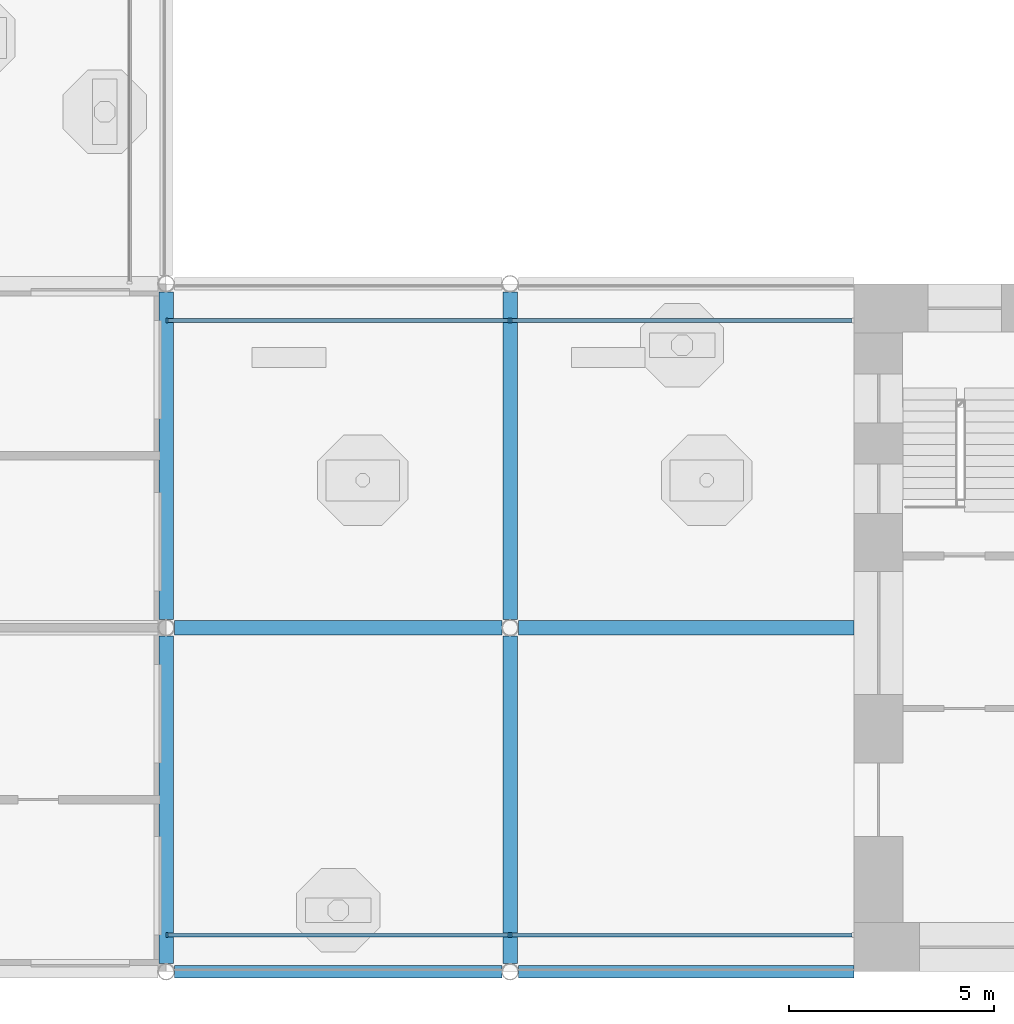
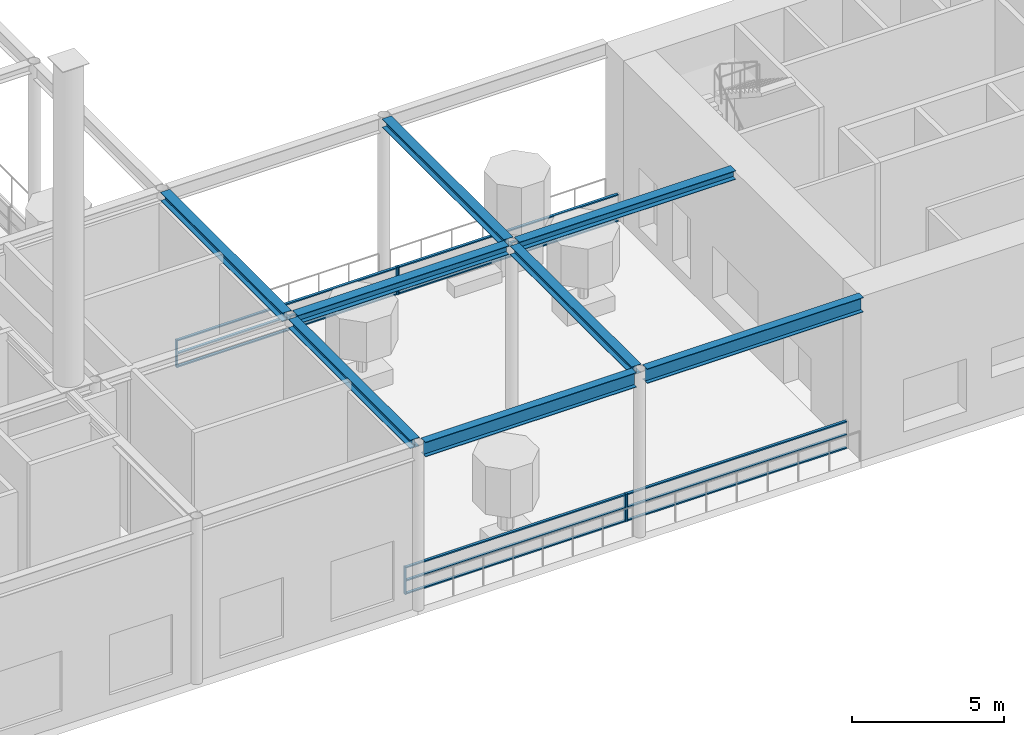
# One storey, part 2 of 15: 18 members, 8 beams, 4 elements without a shape of their own.
"""IFC4 building model written with IfcOpenShell, lengths in metres."""

from ifc_helpers import new_model, si_unit, direction, frame, origin, origin_2d, place, context, subcontext, project, spatial, rectangle, i_section, extrude, material, material_profile, profile_set, type_object, element, aggregate, save


model = new_model("IFC4")

# Units and contexts
model_context = context("Model", 3, precision=1e-05, world=origin(), true_north=direction((0.0, 1.0)))
body_context = subcontext(model_context, "Body", "Model", "MODEL_VIEW")
ifc_project = project(units=[si_unit("LENGTHUNIT", "METRE"), si_unit("AREAUNIT", "SQUARE_METRE"), si_unit("VOLUMEUNIT", "CUBIC_METRE"), si_unit("PLANEANGLEUNIT", "RADIAN"), si_unit("MASSUNIT", "GRAM", prefix="KILO")], contexts=[model_context])

# Site, building, storey
site_placement = place(None, origin())
site = spatial("IfcSite", under=ifc_project, at=site_placement, CompositionType="ELEMENT")
building_placement = place(site_placement, origin())
building = spatial("IfcBuilding", under=site, at=building_placement, Name="Vermilion Gate Residences", CompositionType="ELEMENT")
storey_placement = place(building_placement, frame((0.0, 0.0, 277.199951171875)))
storey = spatial("IfcBuildingStorey", under=building, at=storey_placement, Name="L73", CompositionType="ELEMENT", Elevation=277.199951171875)

# Curtain wall, members
ifc_material_1 = material(Name="Aluminium and glass", Category="aluminium")
curtain_wall_type = type_object("IfcCurtainWallType", Name="CROWN LOOKOUT GLASS CURTAIN WALL", PredefinedType="NOTDEFINED", material=ifc_material_1)
curtain_wall_1_placement = place(storey_placement, origin())
curtain_wall_1 = element("IfcCurtainWall", 1, at=curtain_wall_1_placement, inside=storey, type_object=curtain_wall_type, Name="Crown Lookout Glass 0", PredefinedType="NOTDEFINED")
ifc_material_2 = material(Name="Aluminium", Category="aluminium")
ifc_material_profile_1 = material_profile(ifc_material_2, rectangle(XDim=0.1201171875, YDim=0.050048828125, at=origin_2d()), Name="MULLION 50 X 120")
ifc_profile_set_1 = profile_set([ifc_material_profile_1], Name="Aluminium")
member_type_1 = type_object("IfcMemberType", Name="CROWN LOOKOUT GLASS MULLION 50 X 120", PredefinedType="MULLION", material=ifc_profile_set_1)
member_1_placement = place(storey_placement, frame((25.22509765625, 9.300048828125, 0.0), z_axis=(0.0, 0.0, 1.0), x_axis=(0.0, 1.0, 0.0)))
member_1 = element("IfcMember", 2, at=member_1_placement, type_object=member_type_1, Name="ECW4 mullion 1", PredefinedType="MULLION", context=body_context, shape_type="SweptSolid", body=[
    extrude(rectangle(XDim=0.1201171875, YDim=0.050048828125, at=origin_2d()), origin(), (0.0, 0.0, 1.0), 1.10009765625),
])
member_2_placement = place(storey_placement, frame((33.574951171875, 9.300048828125, 0.0), z_axis=(0.0, 0.0, 1.0), x_axis=(0.0, 1.0, 0.0)))
member_2 = element("IfcMember", 3, at=member_2_placement, type_object=member_type_1, Name="ECW4 mullion 2", PredefinedType="MULLION", context=body_context, shape_type="SweptSolid", body=[
    extrude(rectangle(XDim=0.1201171875, YDim=0.050048828125, at=origin_2d()), origin(), (0.0, 0.0, 1.0), 1.10009765625),
])

# Curtain wall, member
curtain_wall_2_placement = place(storey_placement, origin())
curtain_wall_2 = element("IfcCurtainWall", 4, at=curtain_wall_2_placement, inside=storey, type_object=curtain_wall_type, Name="Crown Lookout Glass 1", PredefinedType="NOTDEFINED")
member_3_placement = place(storey_placement, frame((33.625, 9.300048828125, 0.0), z_axis=(0.0, 0.0, 1.0), x_axis=(0.0, 1.0, 0.0)))
member_3 = element("IfcMember", 5, at=member_3_placement, type_object=member_type_1, Name="ECW4 mullion 1", PredefinedType="MULLION", context=body_context, shape_type="SweptSolid", body=[
    extrude(rectangle(XDim=0.1201171875, YDim=0.050048828125, at=origin_2d()), origin(), (0.0, 0.0, 1.0), 1.10009765625),
])

curtain_wall_3_placement = place(storey_placement, origin())
curtain_wall_3 = element("IfcCurtainWall", 6, at=curtain_wall_3_placement, inside=storey, type_object=curtain_wall_type, Name="Crown Lookout Glass 2", PredefinedType="NOTDEFINED")
member_4_placement = place(storey_placement, frame((33.625, 24.300048828125, 0.0), z_axis=(0.0, 0.0, 1.0), x_axis=(0.0, -1.0, 0.0)))
member_4 = element("IfcMember", 7, at=member_4_placement, type_object=member_type_1, Name="ECW4 mullion 2", PredefinedType="MULLION", context=body_context, shape_type="SweptSolid", body=[
    extrude(rectangle(XDim=0.1201171875, YDim=0.050048828125, at=origin_2d()), origin(), (0.0, 0.0, 1.0), 1.10009765625),
])

# Curtain wall, members
curtain_wall_4_placement = place(storey_placement, origin())
curtain_wall_4 = element("IfcCurtainWall", 8, at=curtain_wall_4_placement, inside=storey, type_object=curtain_wall_type, Name="Crown Lookout Glass 3", PredefinedType="NOTDEFINED")
member_5_placement = place(storey_placement, frame((33.574951171875, 24.300048828125, 0.0), z_axis=(0.0, 0.0, 1.0), x_axis=(0.0, -1.0, 0.0)))
member_5 = element("IfcMember", 9, at=member_5_placement, type_object=member_type_1, Name="ECW4 mullion 1", PredefinedType="MULLION", context=body_context, shape_type="SweptSolid", body=[
    extrude(rectangle(XDim=0.1201171875, YDim=0.050048828125, at=origin_2d()), origin(), (0.0, 0.0, 1.0), 1.10009765625),
])
member_6_placement = place(storey_placement, frame((25.22509765625, 24.300048828125, 0.0), z_axis=(0.0, 0.0, 1.0), x_axis=(0.0, -1.0, 0.0)))
member_6 = element("IfcMember", 10, at=member_6_placement, type_object=member_type_1, Name="ECW4 mullion 2", PredefinedType="MULLION", context=body_context, shape_type="SweptSolid", body=[
    extrude(rectangle(XDim=0.1201171875, YDim=0.050048828125, at=origin_2d()), origin(), (0.0, 0.0, 1.0), 1.10009765625),
])

# Member
ifc_material_3 = material(Name="Aluminium", Category="aluminium")
ifc_material_profile_2 = material_profile(ifc_material_3, rectangle(XDim=0.10009765625, YDim=0.050048828125, at=origin_2d()), Name="TRANSOM 50 X 100")
ifc_profile_set_2 = profile_set([ifc_material_profile_2], Name="Aluminium")
member_type_2 = type_object("IfcMemberType", Name="CROWN LOOKOUT GLASS TRANSOM 50 X 100", PredefinedType="MULLION", material=ifc_profile_set_2)
member_7_placement = place(storey_placement, frame((25.25, 9.300048828125, 0.025146484375), z_axis=(1.0, 0.0, 0.0), x_axis=(0.0, 1.0, 0.0)))
member_7 = element("IfcMember", 11, at=member_7_placement, type_object=member_type_2, Name="ECW4 transom 1.1", PredefinedType="MULLION", context=body_context, shape_type="SweptSolid", body=[
    extrude(rectangle(XDim=0.10009765625, YDim=0.050048828125, at=origin_2d()), origin(), (0.0, 0.0, 1.0), 8.300048828125),
])

member_8_placement = place(storey_placement, frame((25.25, 9.300048828125, 0.550048828125), z_axis=(1.0, 0.0, 0.0), x_axis=(0.0, 1.0, 0.0)))
member_8 = element("IfcMember", 12, at=member_8_placement, type_object=member_type_2, Name="ECW4 transom 1.2", PredefinedType="MULLION", context=body_context, shape_type="SweptSolid", body=[
    extrude(rectangle(XDim=0.10009765625, YDim=0.050048828125, at=origin_2d()), origin(), (0.0, 0.0, 1.0), 8.300048828125),
])

member_9_placement = place(storey_placement, frame((25.25, 9.300048828125, 1.074951171875), z_axis=(1.0, 0.0, 0.0), x_axis=(0.0, 1.0, 0.0)))
member_9 = element("IfcMember", 13, at=member_9_placement, type_object=member_type_2, Name="ECW4 transom 1.3", PredefinedType="MULLION", context=body_context, shape_type="SweptSolid", body=[
    extrude(rectangle(XDim=0.10009765625, YDim=0.050048828125, at=origin_2d()), origin(), (0.0, 0.0, 1.0), 8.300048828125),
])

aggregate(curtain_wall_1, [member_1, member_2, member_7, member_8, member_9])

member_10_placement = place(storey_placement, frame((33.64990234375, 9.300048828125, 0.025146484375), z_axis=(1.0, 0.0, 0.0), x_axis=(0.0, 1.0, 0.0)))
member_10 = element("IfcMember", 14, at=member_10_placement, type_object=member_type_2, Name="ECW4 transom 1.1", PredefinedType="MULLION", context=body_context, shape_type="SweptSolid", body=[
    extrude(rectangle(XDim=0.10009765625, YDim=0.050048828125, at=origin_2d()), origin(), (0.0, 0.0, 1.0), 8.300048828125),
])

member_11_placement = place(storey_placement, frame((33.64990234375, 9.300048828125, 0.550048828125), z_axis=(1.0, 0.0, 0.0), x_axis=(0.0, 1.0, 0.0)))
member_11 = element("IfcMember", 15, at=member_11_placement, type_object=member_type_2, Name="ECW4 transom 1.2", PredefinedType="MULLION", context=body_context, shape_type="SweptSolid", body=[
    extrude(rectangle(XDim=0.10009765625, YDim=0.050048828125, at=origin_2d()), origin(), (0.0, 0.0, 1.0), 8.300048828125),
])

member_12_placement = place(storey_placement, frame((33.64990234375, 9.300048828125, 1.074951171875), z_axis=(1.0, 0.0, 0.0), x_axis=(0.0, 1.0, 0.0)))
member_12 = element("IfcMember", 16, at=member_12_placement, type_object=member_type_2, Name="ECW4 transom 1.3", PredefinedType="MULLION", context=body_context, shape_type="SweptSolid", body=[
    extrude(rectangle(XDim=0.10009765625, YDim=0.050048828125, at=origin_2d()), origin(), (0.0, 0.0, 1.0), 8.300048828125),
])

aggregate(curtain_wall_2, [member_3, member_10, member_11, member_12])

member_13_placement = place(storey_placement, frame((41.949951171875, 24.300048828125, 0.025146484375), z_axis=(-1.0, 0.0, 0.0), x_axis=(0.0, -1.0, 0.0)))
member_13 = element("IfcMember", 17, at=member_13_placement, type_object=member_type_2, Name="ECW4 transom 1.1", PredefinedType="MULLION", context=body_context, shape_type="SweptSolid", body=[
    extrude(rectangle(XDim=0.10009765625, YDim=0.050048828125, at=origin_2d()), origin(), (0.0, 0.0, 1.0), 8.300048828125),
])

member_14_placement = place(storey_placement, frame((41.949951171875, 24.300048828125, 0.550048828125), z_axis=(-1.0, 0.0, 0.0), x_axis=(0.0, -1.0, 0.0)))
member_14 = element("IfcMember", 18, at=member_14_placement, type_object=member_type_2, Name="ECW4 transom 1.2", PredefinedType="MULLION", context=body_context, shape_type="SweptSolid", body=[
    extrude(rectangle(XDim=0.10009765625, YDim=0.050048828125, at=origin_2d()), origin(), (0.0, 0.0, 1.0), 8.300048828125),
])

member_15_placement = place(storey_placement, frame((41.949951171875, 24.300048828125, 1.074951171875), z_axis=(-1.0, 0.0, 0.0), x_axis=(0.0, -1.0, 0.0)))
member_15 = element("IfcMember", 19, at=member_15_placement, type_object=member_type_2, Name="ECW4 transom 1.3", PredefinedType="MULLION", context=body_context, shape_type="SweptSolid", body=[
    extrude(rectangle(XDim=0.10009765625, YDim=0.050048828125, at=origin_2d()), origin(), (0.0, 0.0, 1.0), 8.300048828125),
])

aggregate(curtain_wall_3, [member_4, member_13, member_14, member_15])

member_16_placement = place(storey_placement, frame((33.550048828125, 24.300048828125, 0.025146484375), z_axis=(-1.0, 0.0, 0.0), x_axis=(0.0, -1.0, 0.0)))
member_16 = element("IfcMember", 20, at=member_16_placement, type_object=member_type_2, Name="ECW4 transom 1.1", PredefinedType="MULLION", context=body_context, shape_type="SweptSolid", body=[
    extrude(rectangle(XDim=0.10009765625, YDim=0.050048828125, at=origin_2d()), origin(), (0.0, 0.0, 1.0), 8.300048828125),
])

member_17_placement = place(storey_placement, frame((33.550048828125, 24.300048828125, 0.550048828125), z_axis=(-1.0, 0.0, 0.0), x_axis=(0.0, -1.0, 0.0)))
member_17 = element("IfcMember", 21, at=member_17_placement, type_object=member_type_2, Name="ECW4 transom 1.2", PredefinedType="MULLION", context=body_context, shape_type="SweptSolid", body=[
    extrude(rectangle(XDim=0.10009765625, YDim=0.050048828125, at=origin_2d()), origin(), (0.0, 0.0, 1.0), 8.300048828125),
])

member_18_placement = place(storey_placement, frame((33.550048828125, 24.300048828125, 1.074951171875), z_axis=(-1.0, 0.0, 0.0), x_axis=(0.0, -1.0, 0.0)))
member_18 = element("IfcMember", 22, at=member_18_placement, type_object=member_type_2, Name="ECW4 transom 1.3", PredefinedType="MULLION", context=body_context, shape_type="SweptSolid", body=[
    extrude(rectangle(XDim=0.10009765625, YDim=0.050048828125, at=origin_2d()), origin(), (0.0, 0.0, 1.0), 8.300048828125),
])

aggregate(curtain_wall_4, [member_5, member_6, member_16, member_17, member_18])

# Beams
ifc_material_4 = material(Name="Steel SM355", Category="steel")
ifc_material_profile_3 = material_profile(ifc_material_4, i_section(OverallWidth=0.35009765625, OverallDepth=0.35009765625, WebThickness=0.011962890625, FlangeThickness=0.01904296875, at=origin_2d()), Name="H-350x350x12x19")
ifc_profile_set_3 = profile_set([ifc_material_profile_3], Name="Steel SM355")
beam_type_1 = type_object("IfcBeamType", Name="STEEL CANOPY BEAM H-350x350x12x19 SM355", PredefinedType="BEAM", material=ifc_profile_set_3)
beam_1_placement = place(storey_placement, frame((25.199951171875, 8.603271484375, 6.47509765625), z_axis=(0.0, 1.0, 0.0), x_axis=(-1.0, 0.0, 0.0)))
element("IfcBeam", 23, at=beam_1_placement, inside=storey, type_object=beam_type_1, Name="Canopy beam 9", PredefinedType="BEAM", context=body_context, shape_type="SweptSolid", body=[
    extrude(i_section(OverallWidth=0.35009765625, OverallDepth=0.35009765625, WebThickness=0.011962890625, FlangeThickness=0.01904296875, at=origin_2d()), origin(), (0.0, 0.0, 1.0), 7.993408203125),
])
beam_2_placement = place(storey_placement, frame((25.199951171875, 17.003173828125, 6.47509765625), z_axis=(0.0, 1.0, 0.0), x_axis=(-1.0, 0.0, 0.0)))
element("IfcBeam", 24, at=beam_2_placement, inside=storey, type_object=beam_type_1, Name="Canopy beam 11", PredefinedType="BEAM", context=body_context, shape_type="SweptSolid", body=[
    extrude(i_section(OverallWidth=0.35009765625, OverallDepth=0.35009765625, WebThickness=0.011962890625, FlangeThickness=0.01904296875, at=origin_2d()), origin(), (0.0, 0.0, 1.0), 7.99365234375),
])
for number, where, z_axis, x_axis, name in (
    (25, (25.4033203125, 16.800048828125, 6.47509765625), (1.0, 0.0, 0.0), (0.0, 1.0, 0.0), "Canopy beam 13"),
    (26, (33.60009765625, 8.603271484375, 6.47509765625), (0.0, 1.0, 0.0), (-1.0, 0.0, 0.0), "Canopy beam 14"),
):
    element("IfcBeam", number, at=place(storey_placement, frame(where, z_axis=z_axis, x_axis=x_axis)), inside=storey, type_object=beam_type_1, Name=name, PredefinedType="BEAM", context=body_context, shape_type="SweptSolid", body=[
        extrude(i_section(OverallWidth=0.35009765625, OverallDepth=0.35009765625, WebThickness=0.011962890625, FlangeThickness=0.01904296875, at=origin_2d()), origin(), (0.0, 0.0, 1.0), 7.993408203125),
    ])
beam_3_placement = place(storey_placement, frame((33.60009765625, 17.003173828125, 6.47509765625), z_axis=(0.0, 1.0, 0.0), x_axis=(-1.0, 0.0, 0.0)))
element("IfcBeam", 27, at=beam_3_placement, inside=storey, type_object=beam_type_1, Name="Canopy beam 15", PredefinedType="BEAM", context=body_context, shape_type="SweptSolid", body=[
    extrude(i_section(OverallWidth=0.35009765625, OverallDepth=0.35009765625, WebThickness=0.011962890625, FlangeThickness=0.01904296875, at=origin_2d()), origin(), (0.0, 0.0, 1.0), 7.99365234375),
])
beam_4_placement = place(storey_placement, frame((33.80322265625, 16.800048828125, 6.47509765625), z_axis=(1.0, 0.0, 0.0), x_axis=(0.0, 1.0, 0.0)))
element("IfcBeam", 28, at=beam_4_placement, inside=storey, type_object=beam_type_1, Name="Canopy beam 16", PredefinedType="BEAM", context=body_context, shape_type="SweptSolid", body=[
    extrude(i_section(OverallWidth=0.35009765625, OverallDepth=0.35009765625, WebThickness=0.011962890625, FlangeThickness=0.01904296875, at=origin_2d()), origin(), (0.0, 0.0, 1.0), 8.19677734375),
])
ifc_material_5 = material(Name="Steel SM355", Category="steel")
ifc_material_profile_4 = material_profile(ifc_material_5, i_section(OverallWidth=0.300048828125, OverallDepth=0.587890625, WebThickness=0.011962890625, FlangeThickness=0.02001953125, at=origin_2d()), Name="H-588x300x12x20")
ifc_profile_set_4 = profile_set([ifc_material_profile_4], Name="Steel SM355")
beam_type_2 = type_object("IfcBeamType", Name="STEEL RING BEAM H-588x300x12x20 SM355", PredefinedType="BEAM", material=ifc_profile_set_4)
beam_5_placement = place(storey_placement, frame((25.4033203125, 8.39990234375, 6.35595703125), z_axis=(1.0, 0.0, 0.0), x_axis=(0.0, 1.0, 0.0)))
element("IfcBeam", 29, at=beam_5_placement, inside=storey, type_object=beam_type_2, Name="Crown frame ring beam 15", PredefinedType="BEAM", context=body_context, shape_type="SweptSolid", body=[
    extrude(i_section(OverallWidth=0.300048828125, OverallDepth=0.587890625, WebThickness=0.011962890625, FlangeThickness=0.02001953125, at=origin_2d()), origin(), (0.0, 0.0, 1.0), 7.993408203125),
])
beam_6_placement = place(storey_placement, frame((33.80322265625, 8.39990234375, 6.35595703125), z_axis=(1.0, 0.0, 0.0), x_axis=(0.0, 1.0, 0.0)))
element("IfcBeam", 30, at=beam_6_placement, inside=storey, type_object=beam_type_2, Name="Crown frame ring beam 17", PredefinedType="BEAM", context=body_context, shape_type="SweptSolid", body=[
    extrude(i_section(OverallWidth=0.300048828125, OverallDepth=0.587890625, WebThickness=0.011962890625, FlangeThickness=0.02001953125, at=origin_2d()), origin(), (0.0, 0.0, 1.0), 8.19677734375),
])

save(model, "model.ifc")
